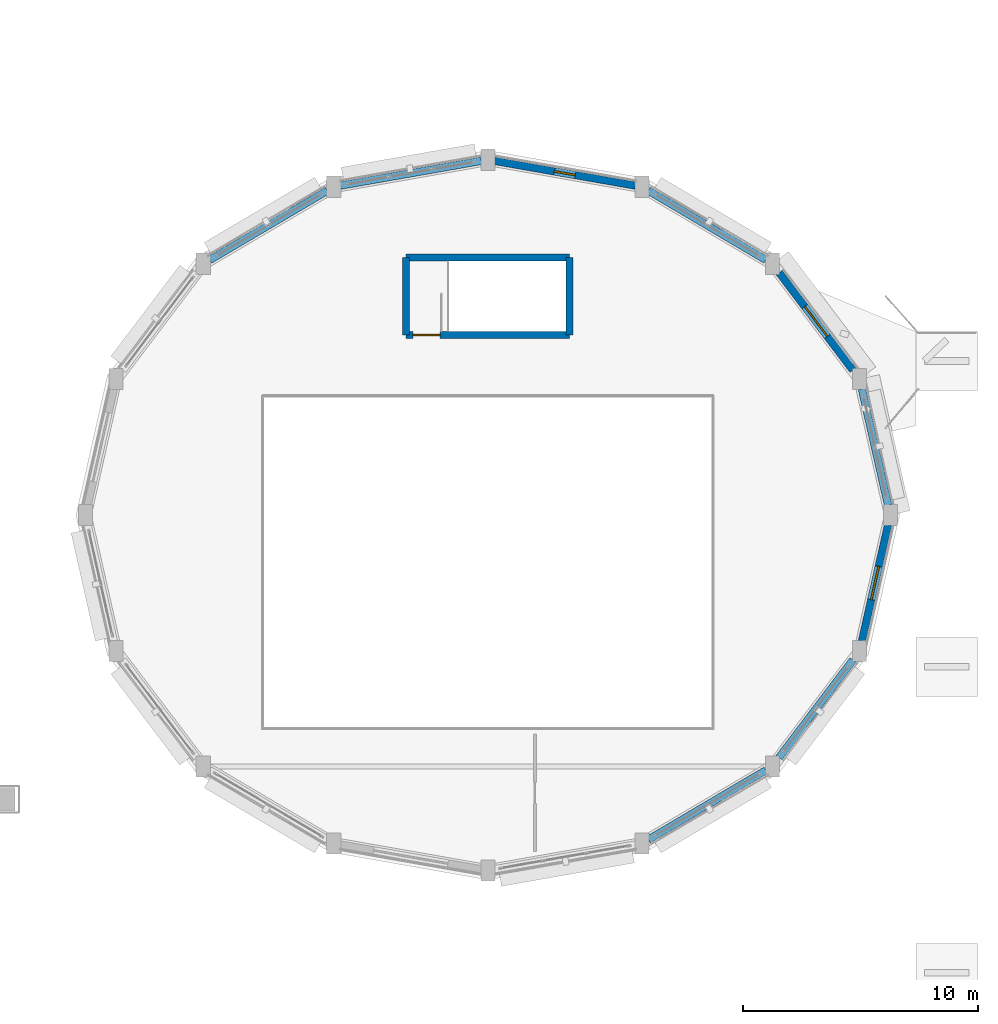
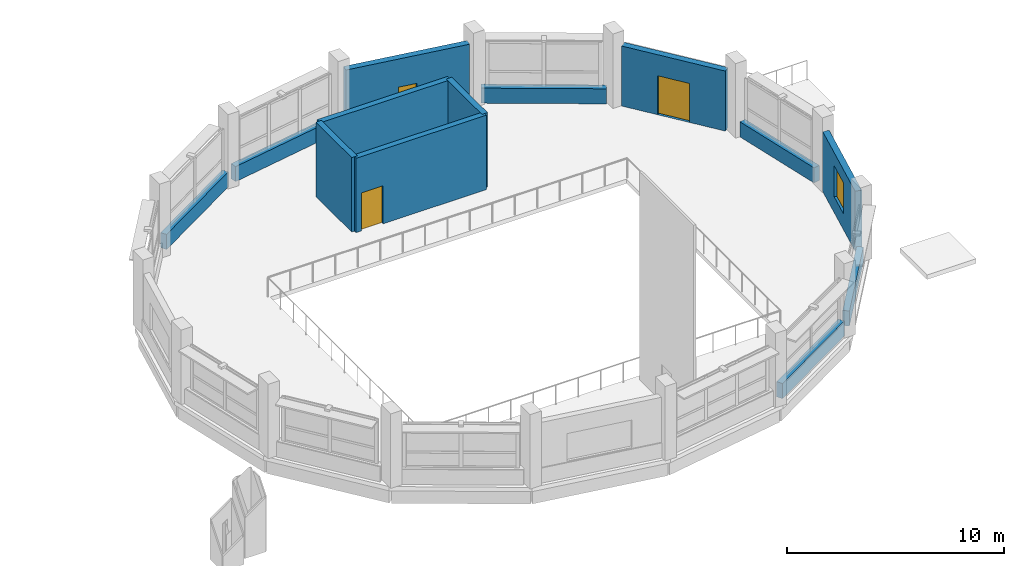
# One storey, part 115 of 128: 13 walls, 2 doors, 2 windows, 4 openings.
"""IFC4 building model written with IfcOpenShell, lengths in metres."""

import ifcopenshell
import ifcopenshell.guid

model = None  # the IFC model being written
_history = None  # IfcOwnerHistory: only IFC2X3 demands one
_inside = {}  # id of a spatial element -> (the spatial element, [elements in it])
_under = {}  # id of a project, library or spatial element -> (it, [spatial elements below it])
_declared = {}  # id of a project -> (the project, [libraries it declares])
_typed = {}  # id of a type object -> (the type object, [elements of that type])
_made_of = {}  # id of a material, layer set ... -> (it, [elements and type objects made of it])


def new_model(schema):
    """Start an empty IFC model of exactly this schema.

    Asked for "IFC4X3", IfcOpenShell would pick the latest addendum, in which some entities
    have other attributes; the version numbers below select the first issue.
    IFC2X3 requires an IfcOwnerHistory on every rooted entity: one is made here for all.
    """
    global model, _history
    if schema == "IFC4X3":
        model = ifcopenshell.file(schema_version=(4, 3, 0, 0))
    else:
        model = ifcopenshell.file(schema=schema)
    _inside.clear()
    _under.clear()
    _declared.clear()
    _typed.clear()
    _made_of.clear()
    _history = None
    if model.schema == "IFC2X3":
        org = make("IfcOrganization", Name="unknown")
        user = make(
            "IfcPersonAndOrganization",
            ThePerson=make("IfcPerson", FamilyName="unknown"),
            TheOrganization=org,
        )
        app = make(
            "IfcApplication",
            ApplicationDeveloper=org,
            Version="unknown",
            ApplicationFullName="unknown",
            ApplicationIdentifier="unknown",
        )
        _history = make(
            "IfcOwnerHistory",
            OwningUser=user,
            OwningApplication=app,
            ChangeAction="ADDED",
            CreationDate=0,
        )
    return model


def make(cls, **values):
    """One entity of the class cls with the attributes given. An attribute that is None is left unset."""
    return model.create_entity(
        cls, **{name: value for name, value in values.items() if value is not None}
    )


def rooted(cls, **values):
    """An entity with a GlobalId (a new one), such as an element, a storey or a relation."""
    return make(cls, GlobalId=ifcopenshell.guid.new(), OwnerHistory=_history, **values)


def si_unit(unit_type, name, prefix=None):
    """IfcSIUnit, for example si_unit("LENGTHUNIT", "METRE", prefix="MILLI")."""
    return make("IfcSIUnit", UnitType=unit_type, Prefix=prefix, Name=name)


def assignment(units):
    """IfcUnitAssignment: the units of a project."""
    return None if units is None else make("IfcUnitAssignment", Units=units)


def point(xyz):
    """IfcCartesianPoint."""
    return None if xyz is None else make("IfcCartesianPoint", Coordinates=xyz)


def direction(xyz):
    """IfcDirection."""
    return None if xyz is None else make("IfcDirection", DirectionRatios=xyz)


def frame(location, z_axis=None, x_axis=None):
    """IfcAxis2Placement3D, a coordinate frame: its origin and axes. An axis left out is left unset."""
    return make(
        "IfcAxis2Placement3D",
        Location=point(location),
        Axis=direction(z_axis),
        RefDirection=direction(x_axis),
    )


def frame_2d(location, x_axis=None):
    """IfcAxis2Placement2D, a coordinate frame in the plane: its origin and x axis."""
    return make(
        "IfcAxis2Placement2D", Location=point(location), RefDirection=direction(x_axis)
    )


def origin():
    """The frame at (0, 0, 0) with its axes left unset."""
    return frame((0.0, 0.0, 0.0))


def place(relative_to, where):
    """IfcLocalPlacement: puts the frame where relative to a parent placement (None: the world)."""
    return make(
        "IfcLocalPlacement", PlacementRelTo=relative_to, RelativePlacement=where
    )


def context(
    kind, dimensions, precision=None, world=None, true_north=None, identifier=None
):
    """IfcGeometricRepresentationContext, for example the 3D "Model" context."""
    return make(
        "IfcGeometricRepresentationContext",
        ContextIdentifier=identifier,
        ContextType=kind,
        CoordinateSpaceDimension=dimensions,
        Precision=precision,
        WorldCoordinateSystem=world,
        TrueNorth=true_north,
    )


def subcontext(parent, identifier, kind, view, scale=None):
    """IfcGeometricRepresentationSubContext, for example "Body" below "Model"."""
    return make(
        "IfcGeometricRepresentationSubContext",
        ContextIdentifier=identifier,
        ContextType=kind,
        ParentContext=parent,
        TargetScale=scale,
        TargetView=view,
    )


def project(units=None, contexts=None):
    """IfcProject with its units and contexts."""
    return rooted(
        "IfcProject",
        Name="project",
        RepresentationContexts=contexts,
        UnitsInContext=assignment(units),
    )


def spatial(cls, under=None, at=None, **own):
    """A site, building, storey or space (cls), placed at a placement, below another one or the project."""
    s = rooted(cls, ObjectPlacement=at, **own)
    if under is not None:
        _under.setdefault(under.id(), (under, []))[1].append(s)
    return s


def profile(cls, at=None, kind="AREA", **sizes):
    """A parametric profile (cls). Its sizes go by their IFC names, for example OverallWidth=200.0."""
    return make(cls, ProfileType=kind, Position=at, **sizes)


def rectangle(**sizes):
    """IfcRectangleProfileDef."""
    return profile("IfcRectangleProfileDef", **sizes)


def extrude(swept, where, along, depth):
    """IfcExtrudedAreaSolid: the profile swept, set in the frame where, extruded along a direction by depth."""
    return make(
        "IfcExtrudedAreaSolid",
        SweptArea=swept,
        Position=where,
        ExtrudedDirection=direction(along),
        Depth=depth,
    )


def shape(context_of_items, identifier, shape_type, items):
    """IfcShapeRepresentation: the items that make up one representation, for example the "Body"."""
    return make(
        "IfcShapeRepresentation",
        ContextOfItems=context_of_items,
        RepresentationIdentifier=identifier,
        RepresentationType=shape_type,
        Items=items,
    )


def material(Name=None, Category=None):
    """IfcMaterial."""
    return make("IfcMaterial", Name=Name, Category=Category)


def layer(
    of_material, thickness, ventilated=None, Name=None, Category=None, Priority=None
):
    """IfcMaterialLayer: one layer of a wall or slab, of a material (None: an air gap)."""
    return make(
        "IfcMaterialLayer",
        Material=of_material,
        LayerThickness=thickness,
        IsVentilated=ventilated,
        Name=Name,
        Category=Category,
        Priority=Priority,
    )


def layer_set(layers, Name=None):
    """IfcMaterialLayerSet."""
    return make("IfcMaterialLayerSet", MaterialLayers=layers, LayerSetName=Name)


def made_of(thing, what):
    """Note that an element or type object is made of a material, layer set ...; save() writes the relation."""
    if what is not None:
        _made_of.setdefault(what.id(), (what, []))[1].append(thing)
    return thing


def type_object(cls, material=None, **own):
    """A type object (cls), such as IfcWallType, which elements share."""
    return made_of(rooted(cls, **own), material)


def element(
    cls,
    number,
    at=None,
    inside=None,
    cuts=None,
    type_object=None,
    material=None,
    context=None,
    identifier="Body",
    shape_type=None,
    held_by="IfcProductDefinitionShape",
    body=None,
    shapes=None,
    **own,
):
    """One element of the class cls, such as IfcWall. Its Tag is "e" and its number.

    at: its placement. inside: the storey or other place that contains it. cuts: it is an
    opening in that element (IfcRelVoidsElement). A single representation is given by context,
    identifier, shape_type and body (its items); several are given by shapes. held_by: the class
    of the entity that holds the representations. save() writes the other relations.
    """
    e = rooted(cls, Tag="e%d" % number, ObjectPlacement=at, **own)
    if body is not None:
        shapes = [shape(context, identifier, shape_type, body)]
    if shapes is not None:
        e.Representation = make(held_by, Representations=shapes)
    if inside is not None:
        _inside.setdefault(inside.id(), (inside, []))[1].append(e)
    if cuts is not None:
        rooted(
            "IfcRelVoidsElement", RelatingBuildingElement=cuts, RelatedOpeningElement=e
        )
    if type_object is not None:
        _typed.setdefault(type_object.id(), (type_object, []))[1].append(e)
    return made_of(e, material)


def fill(opening, filler):
    """IfcRelFillsElement: the door or window that sits in an opening."""
    return rooted(
        "IfcRelFillsElement",
        RelatingOpeningElement=opening,
        RelatedBuildingElement=filler,
    )


def aggregate(whole, parts):
    """IfcRelAggregates: a whole, such as a stair, and the parts it consists of."""
    return rooted("IfcRelAggregates", RelatingObject=whole, RelatedObjects=parts)


def save(model, path):
    """Write the relations noted so far, then the file.

    IfcRelAggregates (storeys below a building ...), IfcRelContainedInSpatialStructure (elements
    in a storey), IfcRelDefinesByType, IfcRelAssociatesMaterial and IfcRelDeclares: one each for
    every whole, place, type object, material and project.
    """
    for whole, parts in _under.values():
        aggregate(whole, parts)
    for where, things in _inside.values():
        rooted(
            "IfcRelContainedInSpatialStructure",
            RelatedElements=things,
            RelatingStructure=where,
        )
    for kind, things in _typed.values():
        rooted("IfcRelDefinesByType", RelatedObjects=things, RelatingType=kind)
    for what, things in _made_of.values():
        rooted("IfcRelAssociatesMaterial", RelatedObjects=things, RelatingMaterial=what)
    for by, libraries in _declared.values():
        rooted("IfcRelDeclares", RelatingContext=by, RelatedDefinitions=libraries)
    model.write(path)


model = new_model("IFC4")

# Units and contexts
model_context = context("Model", 3, precision=1e-05, world=origin(), true_north=direction((0.0, 1.0)))
body_context = subcontext(model_context, "Body", "Model", "MODEL_VIEW")
ifc_project = project(units=[si_unit("LENGTHUNIT", "METRE"), si_unit("AREAUNIT", "SQUARE_METRE"), si_unit("VOLUMEUNIT", "CUBIC_METRE"), si_unit("PLANEANGLEUNIT", "RADIAN"), si_unit("MASSUNIT", "GRAM", prefix="KILO")], contexts=[model_context])

# Site, building, storey
site_placement = place(None, origin())
site = spatial("IfcSite", under=ifc_project, at=site_placement, CompositionType="ELEMENT")
building_placement = place(site_placement, origin())
building = spatial("IfcBuilding", under=site, at=building_placement, Name="Vespera Passage Community Centre", CompositionType="ELEMENT")
storey_placement = place(building_placement, frame((0.0, 0.0, 4.5)))
storey = spatial("IfcBuildingStorey", under=building, at=storey_placement, Name="L01", CompositionType="ELEMENT", Elevation=4.5)

# Wall, opening, door
ifc_material_1 = material(Name="Concrete f'c 45 MPa", Category="concrete")
ifc_layer_1 = layer(ifc_material_1, 0.300048828125)
ifc_layer_set_1 = layer_set([ifc_layer_1], Name="Concrete f'c 45 MPa")
wall_type_1 = type_object("IfcWallType", Name="WT-CORE-300I", PredefinedType="SHEAR", material=ifc_layer_set_1)
wall_1_placement = place(storey_placement, frame((146.47509765625, 97.14990234375, 0.0), z_axis=(0.0, 0.0, 1.0), x_axis=(-1.0, 0.0, 0.0)))
wall_1 = element("IfcWall", 1, at=wall_1_placement, inside=storey, type_object=wall_type_1, Name="Core C6 L01 Shear Wall FRONT", PredefinedType="SHEAR", context=body_context, shape_type="SweptSolid", body=[
    extrude(rectangle(XDim=6.9501953125, YDim=0.300048828125, at=frame_2d((3.47509765625, 0.0))), origin(), (0.0, 0.0, 1.0), 4.199951171875),
])
opening_1_placement = place(wall_1_placement, frame((5.5048828125, 0.0, 0.0)))
opening_1 = element("IfcOpeningElement", 2, at=opening_1_placement, cuts=wall_1, Name="Opening DT-STAIR-90", PredefinedType="OPENING", context=body_context, shape_type="SweptSolid", body=[
    extrude(rectangle(XDim=1.14990234375, YDim=2.14990234375, at=frame_2d((0.574951171875, 1.074951171875))), frame((0.0, 0.159912109375, 0.0), z_axis=(0.0, -1.0, 0.0), x_axis=(1.0, 0.0, 0.0)), (0.0, 0.0, 1.0), 0.320068359375),
])
ifc_material_2 = material(Name="Painted hollow-metal acoustic door", Category="steel")
door_type_1 = type_object("IfcDoorType", Name="DT-STAIR-90", OperationType="NOTDEFINED", PredefinedType="DOOR", material=ifc_material_2)
door_1_placement = place(opening_1_placement, origin())
door_1 = element("IfcDoor", 3, at=door_1_placement, inside=storey, type_object=door_type_1, Name="Core C6 L01 Exit Stair Door D-108", OperationType="SINGLE_SWING_RIGHT", OverallHeight=2.14990234375, OverallWidth=1.14990234375, PredefinedType="DOOR", context=body_context, shape_type="SweptSolid", body=[
    extrude(rectangle(XDim=1.14990234375, YDim=2.14990234375, at=frame_2d((0.574951171875, 1.074951171875))), frame((0.0, 0.02490234375, 0.0), z_axis=(0.0, -1.0, 0.0), x_axis=(1.0, 0.0, 0.0)), (0.0, 0.0, 1.0), 0.050048828125),
])
fill(opening_1, door_1)

# Walls
wall_2_placement = place(storey_placement, frame((139.52490234375, 97.14990234375, 0.0), z_axis=(0.0, 0.0, 1.0), x_axis=(0.0, 1.0, 0.0)))
element("IfcWall", 4, at=wall_2_placement, inside=storey, type_object=wall_type_1, Name="Core C6 L01 Shear Wall LEFT", PredefinedType="SHEAR", context=body_context, shape_type="SweptSolid", body=[
    extrude(rectangle(XDim=3.300048828125, YDim=0.300048828125, at=frame_2d((1.64990234375, 0.0))), origin(), (0.0, 0.0, 1.0), 4.199951171875),
])
wall_3_placement = place(storey_placement, frame((139.52490234375, 100.449951171875, 0.0), z_axis=(0.0, 0.0, 1.0), x_axis=(1.0, 0.0, 0.0)))
element("IfcWall", 5, at=wall_3_placement, inside=storey, type_object=wall_type_1, Name="Core C6 L01 Shear Wall BACK", PredefinedType="SHEAR", context=body_context, shape_type="SweptSolid", body=[
    extrude(rectangle(XDim=6.9501953125, YDim=0.300048828125, at=frame_2d((3.47509765625, 0.0))), origin(), (0.0, 0.0, 1.0), 4.199951171875),
])
wall_4_placement = place(storey_placement, frame((146.47509765625, 100.449951171875, 0.0), z_axis=(0.0, 0.0, 1.0), x_axis=(0.0, -1.0, 0.0)))
element("IfcWall", 6, at=wall_4_placement, inside=storey, type_object=wall_type_1, Name="Core C6 L01 Shear Wall RIGHT", PredefinedType="SHEAR", context=body_context, shape_type="SweptSolid", body=[
    extrude(rectangle(XDim=3.300048828125, YDim=0.300048828125, at=frame_2d((1.64990234375, 0.0))), origin(), (0.0, 0.0, 1.0), 4.199951171875),
])
ifc_material_3 = material(Name="Precast concrete f'c 40 MPa", Category="concrete")
ifc_layer_2 = layer(ifc_material_3, 0.320068359375)
ifc_layer_set_2 = layer_set([ifc_layer_2], Name="Precast concrete f'c 40 MPa")
wall_type_2 = type_object("IfcWallType", Name="WT-EXT-320E", PredefinedType="STANDARD", material=ifc_layer_set_2)
wall_5_placement = place(storey_placement, frame((158.894287109375, 94.852783203125, 0.0), z_axis=(0.0, 0.0, 1.0), x_axis=(0.219744533343, -0.97555745093, 0.0)))
element("IfcWall", 7, at=wall_5_placement, inside=storey, type_object=wall_type_2, Name="V2 L01 Spandrel 1", PredefinedType="STANDARD", context=body_context, shape_type="SweptSolid", body=[
    extrude(rectangle(XDim=5.05078125, YDim=0.320068359375, at=frame_2d((2.525390625, 0.0))), origin(), (0.0, 0.0, 1.0), 0.85009765625),
])

# Wall, opening, door
wall_6_placement = place(storey_placement, frame((155.37646484375, 99.80078125, 0.0), z_axis=(0.0, 0.0, 1.0), x_axis=(0.603398282319, -0.797439974477, 0.0)))
wall_6 = element("IfcWall", 8, at=wall_6_placement, inside=storey, type_object=wall_type_2, Name="V2 L01 Facade Wall 2", PredefinedType="STANDARD", context=body_context, shape_type="SweptSolid", body=[
    extrude(rectangle(XDim=5.19873046875, YDim=0.320068359375, at=frame_2d((2.599365234375, 0.0))), origin(), (0.0, 0.0, 1.0), 3.385009765625),
])
opening_2_placement = place(wall_6_placement, frame((1.79931640625, 0.0, 0.0)))
opening_2 = element("IfcOpeningElement", 9, at=opening_2_placement, cuts=wall_6, Name="Opening DT-E04", PredefinedType="OPENING", context=body_context, shape_type="SweptSolid", body=[
    extrude(rectangle(XDim=1.60009765625, YDim=2.199951171875, at=frame_2d((0.800048828125, 1.10009765625))), frame((0.0, 0.170166015625, 0.0), z_axis=(0.0, -1.0, 0.0), x_axis=(1.0, 0.0, 0.0)), (0.0, 0.0, 1.0), 0.340087890625),
])
ifc_material_4 = material(Name="Anodized aluminium 6063-T6", Category="aluminium")
door_type_2 = type_object("IfcDoorType", Name="DT-E04", OperationType="NOTDEFINED", PredefinedType="DOOR", material=ifc_material_4)
door_2_placement = place(opening_2_placement, origin())
door_2 = element("IfcDoor", 10, at=door_2_placement, inside=storey, type_object=door_type_2, Name="Ramped Garden Bridge Gallery Door", OperationType="SINGLE_SWING_RIGHT", OverallHeight=2.199951171875, OverallWidth=1.60009765625, PredefinedType="DOOR", context=body_context, shape_type="SweptSolid", body=[
    extrude(rectangle(XDim=1.60009765625, YDim=2.199951171875, at=frame_2d((0.800048828125, 1.10009765625))), frame((0.0, 0.02490234375, 0.0), z_axis=(0.0, -1.0, 0.0), x_axis=(1.0, 0.0, 0.0)), (0.0, 0.0, 1.0), 0.050048828125),
])
fill(opening_2, door_2)

# Wall
wall_7_placement = place(storey_placement, frame((149.822509765625, 103.286376953125, 0.0), z_axis=(0.0, 0.0, 1.0), x_axis=(0.861235880181, -0.508205429614, 0.0)))
element("IfcWall", 11, at=wall_7_placement, inside=storey, type_object=wall_type_2, Name="V2 L01 Spandrel 3", PredefinedType="STANDARD", context=body_context, shape_type="SweptSolid", body=[
    extrude(rectangle(XDim=5.79443359375, YDim=0.320068359375, at=frame_2d((2.897216796875, 0.0))), origin(), (0.0, 0.0, 1.0), 0.85009765625),
])

# Wall, opening, window
wall_8_placement = place(storey_placement, frame((143.275390625, 104.551513671875, 0.0), z_axis=(0.0, 0.0, 1.0), x_axis=(0.984927418504, -0.172968148166, 0.0)))
wall_8 = element("IfcWall", 12, at=wall_8_placement, inside=storey, type_object=wall_type_2, Name="V2 L01 Facade Wall 4", PredefinedType="STANDARD", context=body_context, shape_type="SweptSolid", body=[
    extrude(rectangle(XDim=6.0849609375, YDim=0.320068359375, at=frame_2d((3.04248046875, 0.0))), origin(), (0.0, 0.0, 1.0), 3.385009765625),
])
opening_3_placement = place(wall_8_placement, frame((2.59228515625, 0.0, 0.89990234375)))
opening_3 = element("IfcOpeningElement", 13, at=opening_3_placement, cuts=wall_8, Name="Opening WN-01E", PredefinedType="OPENING", context=body_context, shape_type="SweptSolid", body=[
    extrude(rectangle(XDim=0.89990234375, YDim=0.89990234375, at=frame_2d((0.449951171875, 0.449951171875))), frame((0.0, 0.170166015625, 0.0), z_axis=(0.0, -1.0, 0.0), x_axis=(1.0, 0.0, 0.0)), (0.0, 0.0, 1.0), 0.340087890625),
])
ifc_material_5 = material(Name="Low-E insulated vision glass", Category="glass")
window_type_1 = type_object("IfcWindowType", Name="WN-01E", PartitioningType="SINGLE_PANEL", PredefinedType="WINDOW", material=ifc_material_5)
window_1_placement = place(opening_3_placement, origin())
window_1 = element("IfcWindow", 14, at=window_1_placement, inside=storey, type_object=window_type_1, Name="Window WN-V2-L01-P04", OverallHeight=0.89990234375, OverallWidth=0.89990234375, PartitioningType="SINGLE_PANEL", PredefinedType="WINDOW", context=body_context, shape_type="SweptSolid", body=[
    extrude(rectangle(XDim=0.89990234375, YDim=0.89990234375, at=frame_2d((0.449951171875, 0.449951171875))), frame((0.0, 0.030029296875, 0.0), z_axis=(0.0, -1.0, 0.0), x_axis=(1.0, 0.0, 0.0)), (0.0, 0.0, 1.0), 0.06005859375),
])
fill(opening_3, window_1)

# Walls
wall_9_placement = place(storey_placement, frame((136.7314453125, 103.4990234375, 0.0), z_axis=(0.0, 0.0, 1.0), x_axis=(0.984927418504, 0.172968148166, 0.0)))
element("IfcWall", 15, at=wall_9_placement, inside=storey, type_object=wall_type_2, Name="V2 L01 Spandrel 5", PredefinedType="STANDARD", context=body_context, shape_type="SweptSolid", body=[
    extrude(rectangle(XDim=6.0849609375, YDim=0.320068359375, at=frame_2d((3.04248046875, 0.0))), origin(), (0.0, 0.0, 1.0), 0.85009765625),
])
for number, where, z_axis, x_axis, name in (
    (16, (131.18701171875, 100.341552734375, 0.0), (0.0, 0.0, 1.0), (0.861235880181, 0.508205429614, 0.0), "V2 L01 Spandrel 6"),
    (17, (154.81298828125, 78.658447265625, 0.0), (0.0, 0.0, 1.0), (-0.861235880181, -0.508205429614, 0.0), "V2 L01 Spandrel 14"),
):
    element("IfcWall", number, at=place(storey_placement, frame(where, z_axis=z_axis, x_axis=x_axis)), inside=storey, type_object=wall_type_2, Name=name, PredefinedType="STANDARD", context=body_context, shape_type="SweptSolid", body=[
        extrude(rectangle(XDim=5.79443359375, YDim=0.320068359375, at=frame_2d((2.897216796875, 0.0))), origin(), (0.0, 0.0, 1.0), 0.85009765625),
    ])
wall_10_placement = place(storey_placement, frame((158.513427734375, 83.344970703125, 0.0), z_axis=(0.0, 0.0, 1.0), x_axis=(-0.603398282319, -0.797439974477, 0.0)))
element("IfcWall", 18, at=wall_10_placement, inside=storey, type_object=wall_type_2, Name="V2 L01 Spandrel 15", PredefinedType="STANDARD", context=body_context, shape_type="SweptSolid", body=[
    extrude(rectangle(XDim=5.19873046875, YDim=0.320068359375, at=frame_2d((2.599365234375, 0.0))), origin(), (0.0, 0.0, 1.0), 0.85009765625),
])

# Wall, opening, window
wall_11_placement = place(storey_placement, frame((160.004150390625, 89.074462890625, 0.0), z_axis=(0.0, 0.0, 1.0), x_axis=(-0.219744533343, -0.97555745093, 0.0)))
wall_11 = element("IfcWall", 19, at=wall_11_placement, inside=storey, type_object=wall_type_2, Name="V2 L01 Facade Wall 16", PredefinedType="STANDARD", context=body_context, shape_type="SweptSolid", body=[
    extrude(rectangle(XDim=5.05078125, YDim=0.320068359375, at=frame_2d((2.525390625, 0.0))), origin(), (0.0, 0.0, 1.0), 3.385009765625),
])
opening_4_placement = place(wall_11_placement, frame((1.80029296875, 0.0, 0.89990234375)))
opening_4 = element("IfcOpeningElement", 20, at=opening_4_placement, cuts=wall_11, Name="Opening WN-19E", PredefinedType="OPENING", context=body_context, shape_type="SweptSolid", body=[
    extrude(rectangle(XDim=1.449951171875, YDim=1.75, at=frame_2d((0.72509765625, 0.875))), frame((0.0, 0.170166015625, 0.0), z_axis=(0.0, -1.0, 0.0), x_axis=(1.0, 0.0, 0.0)), (0.0, 0.0, 1.0), 0.340087890625),
])
ifc_material_6 = material(Name="Low-E insulated vision glass", Category="glass")
window_type_2 = type_object("IfcWindowType", Name="WN-19E", PartitioningType="SINGLE_PANEL", PredefinedType="WINDOW", material=ifc_material_6)
window_2_placement = place(opening_4_placement, origin())
window_2 = element("IfcWindow", 21, at=window_2_placement, inside=storey, type_object=window_type_2, Name="Window WN-V2-L01-P16", OverallHeight=1.75, OverallWidth=1.449951171875, PartitioningType="SINGLE_PANEL", PredefinedType="WINDOW", context=body_context, shape_type="SweptSolid", body=[
    extrude(rectangle(XDim=1.449951171875, YDim=1.75, at=frame_2d((0.72509765625, 0.875))), frame((0.0, 0.030029296875, 0.0), z_axis=(0.0, -1.0, 0.0), x_axis=(1.0, 0.0, 0.0)), (0.0, 0.0, 1.0), 0.06005859375),
])
fill(opening_4, window_2)

save(model, "model.ifc")
